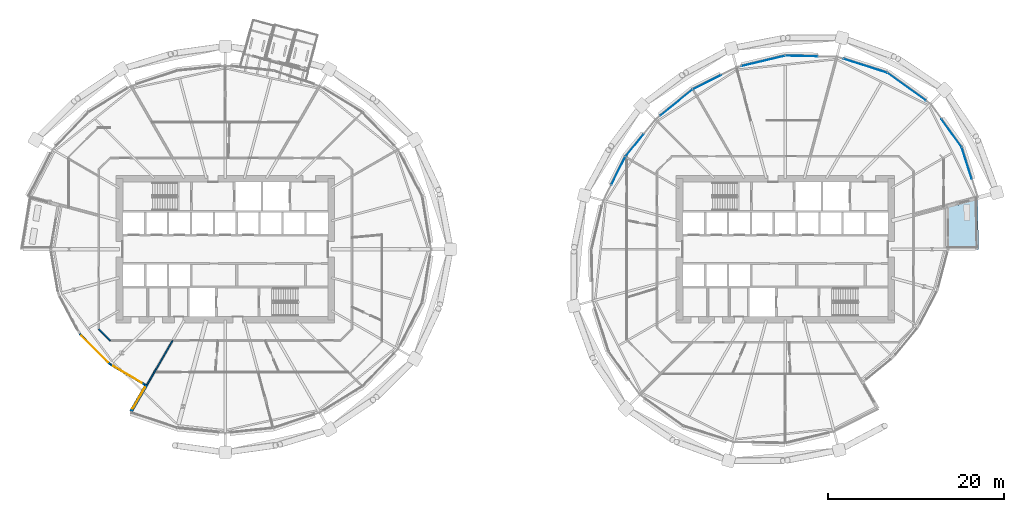
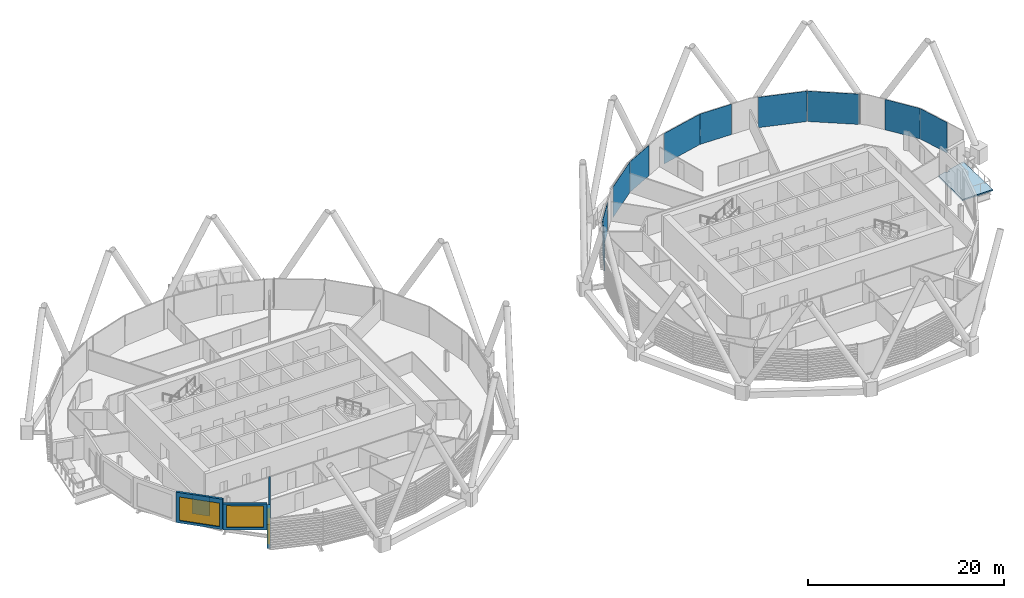
# One storey, part 23 of 38: 10 plates, 5 walls, 3 windows, 1 slab, 3 openings, 1 element without a shape of its own.
"""IFC4 building model written with IfcOpenShell, lengths in metres."""

from ifc_helpers import new_model, si_unit, direction, frame, frame_2d, origin, origin_2d, place, context, subcontext, project, spatial, polyline, rectangle, outline, extrude, material, layer, layer_set, type_object, element, fill, aggregate, save


model = new_model("IFC4")

# Units and contexts
model_context = context("Model", 3, precision=1e-05, world=origin(), true_north=direction((0.0, 1.0)))
body_context = subcontext(model_context, "Body", "Model", "MODEL_VIEW")
ifc_project = project(units=[si_unit("LENGTHUNIT", "METRE"), si_unit("AREAUNIT", "SQUARE_METRE"), si_unit("VOLUMEUNIT", "CUBIC_METRE"), si_unit("PLANEANGLEUNIT", "RADIAN"), si_unit("MASSUNIT", "GRAM", prefix="KILO")], contexts=[model_context])

# Site, building, storey
site_placement = place(None, origin())
site = spatial("IfcSite", under=ifc_project, at=site_placement, CompositionType="ELEMENT")
building_placement = place(site_placement, origin())
building = spatial("IfcBuilding", under=site, at=building_placement, Name="Rimbun Link Towers", CompositionType="ELEMENT")
storey_placement = place(building_placement, frame((0.0, 0.0, 104.39990234375)))
storey = spatial("IfcBuildingStorey", under=building, at=storey_placement, Name="L25", CompositionType="ELEMENT", Elevation=104.39990234375)

# Curtain wall, plates
ifc_material_1 = material(Name="Aluminium 6063-T6 and low-iron glass", Category="aluminium")
curtain_wall_type = type_object("IfcCurtainWallType", Name="CW1-Z2 unitised vision wall (zone 2)", PredefinedType="NOTDEFINED", material=ifc_material_1)
curtain_wall_placement = place(storey_placement, origin())
curtain_wall = element("IfcCurtainWall", 1, at=curtain_wall_placement, inside=storey, type_object=curtain_wall_type, Name="CW1 L25 T2", PredefinedType="NOTDEFINED")
ifc_material_2 = material(Name="Low-iron glass, laminated low-e unit", Category="glass")
ifc_layer_1 = layer(ifc_material_2, 0.028076171875)
ifc_layer_set_1 = layer_set([ifc_layer_1], Name="CW1 panel Low-iron glass 28")
plate_type = type_object("IfcPlateType", Name="CW1 panel Low-iron glass 28", PredefinedType="CURTAIN_PANEL", material=ifc_layer_set_1)
plate_1_placement = place(storey_placement, frame((45.49755859375, 18.429443359375, 0.0), z_axis=(0.0, 0.0, 1.0), x_axis=(0.812467340473, -0.583006707221, 0.0)))
plate_1 = element("IfcPlate", 2, at=plate_1_placement, type_object=plate_type, Name="CW1 panel", PredefinedType="CURTAIN_PANEL", context=body_context, shape_type="SweptSolid", body=[
    extrude(rectangle(XDim=5.365478515625, YDim=0.028076171875, at=origin_2d()), origin(), (0.0, 0.0, 1.0), 3.800048828125),
])
plate_2_placement = place(storey_placement, frame((40.82861328125, 20.792236328125, 0.0), z_axis=(0.0, 0.0, 1.0), x_axis=(0.952972314709, -0.303057366512, 0.0)))
plate_2 = element("IfcPlate", 3, at=plate_2_placement, type_object=plate_type, Name="CW1 panel", PredefinedType="CURTAIN_PANEL", context=body_context, shape_type="SweptSolid", body=[
    extrude(rectangle(XDim=5.1416015625, YDim=0.028076171875, at=origin_2d()), origin(), (0.0, 0.0, 1.0), 3.800048828125),
])
plate_3_placement = place(storey_placement, frame((33.596923828125, 21.90478515625, 0.0), z_axis=(0.0, 0.0, 1.0), x_axis=(0.999778144708, -0.021063270517, 0.0)))
plate_3 = element("IfcPlate", 4, at=plate_3_placement, type_object=plate_type, Name="CW1 panel", PredefinedType="CURTAIN_PANEL", context=body_context, shape_type="SweptSolid", body=[
    extrude(rectangle(XDim=3.654296875, YDim=0.028076171875, at=origin_2d()), origin(), (0.0, 0.0, 1.0), 3.800048828125),
])
plate_4_placement = place(storey_placement, frame((29.27734375, 21.352783203125, 0.0), z_axis=(0.0, 0.0, 1.0), x_axis=(0.972575947038, 0.232585526726, 0.0)))
plate_4 = element("IfcPlate", 5, at=plate_4_placement, type_object=plate_type, Name="CW1 panel", PredefinedType="CURTAIN_PANEL", context=body_context, shape_type="SweptSolid", body=[
    extrude(rectangle(XDim=5.037841796875, YDim=0.028076171875, at=origin_2d()), origin(), (0.0, 0.0, 1.0), 3.800048828125),
])
plate_5_placement = place(storey_placement, frame((22.878662109375, 18.942626953125, 0.0), z_axis=(0.0, 0.0, 1.0), x_axis=(0.893637595797, 0.448789312905, 0.0)))
plate_5 = element("IfcPlate", 6, at=plate_5_placement, type_object=plate_type, Name="CW1 panel", PredefinedType="CURTAIN_PANEL", context=body_context, shape_type="SweptSolid", body=[
    extrude(rectangle(XDim=3.54150390625, YDim=0.028076171875, at=origin_2d()), origin(), (0.0, 0.0, 1.0), 3.800048828125),
])
plate_6_placement = place(storey_placement, frame((19.411376953125, 16.62841796875, 0.0), z_axis=(0.0, 0.0, 1.0), x_axis=(0.777282918383, 0.629151225693, 0.0)))
plate_6 = element("IfcPlate", 7, at=plate_6_placement, type_object=plate_type, Name="CW1 panel", PredefinedType="CURTAIN_PANEL", context=body_context, shape_type="SweptSolid", body=[
    extrude(rectangle(XDim=4.757080078125, YDim=0.028076171875, at=origin_2d()), origin(), (0.0, 0.0, 1.0), 3.800048828125),
])
plate_7_placement = place(storey_placement, frame((14.66552734375, 11.775146484375, 0.0), z_axis=(0.0, 0.0, 1.0), x_axis=(0.629151225693, 0.777282918383, 0.0)))
plate_7 = element("IfcPlate", 8, at=plate_7_placement, type_object=plate_type, Name="CW1 panel", PredefinedType="CURTAIN_PANEL", context=body_context, shape_type="SweptSolid", body=[
    extrude(rectangle(XDim=3.30712890625, YDim=0.028076171875, at=origin_2d()), origin(), (0.0, 0.0, 1.0), 3.800048828125),
])
plate_8_placement = place(storey_placement, frame((12.818603515625, 8.893798828125, 0.0), z_axis=(0.0, 0.0, 1.0), x_axis=(0.448789312905, 0.893637595797, 0.0)))
plate_8 = element("IfcPlate", 9, at=plate_8_placement, type_object=plate_type, Name="CW1 panel", PredefinedType="CURTAIN_PANEL", context=body_context, shape_type="SweptSolid", body=[
    extrude(rectangle(XDim=3.491455078125, YDim=0.028076171875, at=origin_2d()), origin(), (0.0, 0.0, 1.0), 3.800048828125),
])
plate_9_placement = place(storey_placement, frame((52.330078125, 9.74560546875, 0.0), z_axis=(0.0, 0.0, 1.0), x_axis=(0.303057366512, -0.952972314709, 0.0)))
plate_9 = element("IfcPlate", 10, at=plate_9_placement, type_object=plate_type, Name="CW1 panel", PredefinedType="CURTAIN_PANEL", context=body_context, shape_type="SweptSolid", body=[
    extrude(rectangle(XDim=3.74169921875, YDim=0.028076171875, at=origin_2d()), origin(), (0.0, 0.0, 1.0), 3.800048828125),
])
plate_10_placement = place(storey_placement, frame((50.60205078125, 13.158447265625, 0.0), z_axis=(0.0, 0.0, 1.0), x_axis=(0.583006707221, -0.812467340473, 0.0)))
plate_10 = element("IfcPlate", 11, at=plate_10_placement, type_object=plate_type, Name="CW1 panel", PredefinedType="CURTAIN_PANEL", context=body_context, shape_type="SweptSolid", body=[
    extrude(rectangle(XDim=3.91552734375, YDim=0.028076171875, at=origin_2d()), origin(), (0.0, 0.0, 1.0), 3.800048828125),
])
aggregate(curtain_wall, [plate_1, plate_2, plate_3, plate_4, plate_5, plate_6, plate_7, plate_8, plate_9, plate_10])

# Slab
ifc_material_3 = material(Name="Concrete C35/45", Category="concrete")
ifc_layer_2 = layer(ifc_material_3, 0.159912109375)
ifc_layer_set_2 = layer_set([ifc_layer_2], Name="TERRACE SLAB 160")
slab_type = type_object("IfcSlabType", Name="TERRACE SLAB 160", PredefinedType="FLOOR", material=ifc_layer_set_2)
slab_placement = place(storey_placement, frame((0.0, 0.0, -0.159912109375)))
element("IfcSlab", 12, at=slab_placement, inside=storey, type_object=slab_type, Name="Terrace slab T2 L25", PredefinedType="FLOOR", context=body_context, shape_type="SweptSolid", body=[
    extrude(outline(polyline([(53.556396484375, 5.843017578125), (53.6796875, 0.0), (50.07958984375, 0.0), (50.0791015625, 4.911376953125), (51.069580078125, 5.1767578125), (51.069580078125, 5.033203125), (51.468505859375, 5.033203125), (51.468505859375, 5.28369140625), (53.556396484375, 5.843017578125)])), origin(), (0.0, 0.0, 1.0), 0.159912109375),
])

# Wall, opening, window
ifc_material_4 = material(Name="Dark enamelled glass spandrel on insulated aluminium backpan", Category="aluminium")
ifc_layer_3 = layer(ifc_material_4, 0.25)
ifc_layer_set_3 = layer_set([ifc_layer_3], Name="CS dark enamelled spandrel wall 250")
wall_type_1 = type_object("IfcWallType", Name="CS dark enamelled spandrel wall 250", PredefinedType="STANDARD", material=ifc_layer_set_3)
wall_1_placement = place(storey_placement, frame((-44.7880859375, -13.060791015625, 0.0), z_axis=(0.0, 0.0, 1.0), x_axis=(-0.707032732131, 0.707180822489, 0.0)))
wall_1 = element("IfcWall", 13, at=wall_1_placement, inside=storey, type_object=wall_type_1, Name="Crease spandrel wall", PredefinedType="STANDARD", context=body_context, shape_type="SweptSolid", body=[
    extrude(rectangle(XDim=4.94580078125, YDim=0.25, at=frame_2d((2.472900390625, 0.0))), origin(), (0.0, 0.0, 1.0), 3.800048828125),
])
opening_1_placement = place(wall_1_placement, frame((0.347900390625, 0.0, 0.300048828125)))
opening_1 = element("IfcOpeningElement", 14, at=opening_1_placement, cuts=wall_1, Name="Opening WR42H295", PredefinedType="OPENING", context=body_context, shape_type="SweptSolid", body=[
    extrude(rectangle(XDim=4.25, YDim=2.949951171875, at=frame_2d((2.125, 1.47509765625))), frame((0.0, 0.135009765625, 0.0), z_axis=(0.0, -1.0, 0.0), x_axis=(1.0, 0.0, 0.0)), (0.0, 0.0, 1.0), 0.27001953125),
])
ifc_material_5 = material(Name="Aluminium framed fixed window, dark tinted low-e glass", Category="aluminium")
window_type_1 = type_object("IfcWindowType", Name="WR ribbon window 4250X2950", PartitioningType="SINGLE_PANEL", PredefinedType="WINDOW", material=ifc_material_5)
window_1_placement = place(opening_1_placement, origin())
window_1 = element("IfcWindow", 15, at=window_1_placement, inside=storey, type_object=window_type_1, Name="Crease ribbon window", OverallHeight=2.949951171875, OverallWidth=4.25, PartitioningType="SINGLE_PANEL", PredefinedType="WINDOW", context=body_context, shape_type="SweptSolid", body=[
    extrude(rectangle(XDim=4.25, YDim=2.949951171875, at=frame_2d((2.125, 1.47509765625))), frame((0.0, 0.030029296875, 0.0), z_axis=(0.0, -1.0, 0.0), x_axis=(1.0, 0.0, 0.0)), (0.0, 0.0, 1.0), 0.06005859375),
])
fill(opening_1, window_1)

wall_2_placement = place(storey_placement, frame((-40.896240234375, -15.341552734375, 0.0), z_axis=(0.0, 0.0, 1.0), x_axis=(-0.862762287137, 0.505609766416, 0.0)))
wall_2 = element("IfcWall", 16, at=wall_2_placement, inside=storey, type_object=wall_type_1, Name="Crease spandrel wall", PredefinedType="STANDARD", context=body_context, shape_type="SweptSolid", body=[
    extrude(rectangle(XDim=4.510986328125, YDim=0.25, at=frame_2d((2.25537109375, 0.0))), origin(), (0.0, 0.0, 1.0), 3.2236328125),
])
opening_2_placement = place(wall_2_placement, frame((0.380615234375, 0.0, 0.300048828125)))
opening_2 = element("IfcOpeningElement", 17, at=opening_2_placement, cuts=wall_2, Name="Opening WR38H270", PredefinedType="OPENING", context=body_context, shape_type="SweptSolid", body=[
    extrude(rectangle(XDim=3.75, YDim=2.699951171875, at=frame_2d((1.875, 1.35009765625))), frame((0.0, 0.135009765625, 0.0), z_axis=(0.0, -1.0, 0.0), x_axis=(1.0, 0.0, 0.0)), (0.0, 0.0, 1.0), 0.27001953125),
])
ifc_material_6 = material(Name="Aluminium framed fixed window, dark tinted low-e glass", Category="aluminium")
window_type_2 = type_object("IfcWindowType", Name="WR ribbon window 3750X2700", PartitioningType="SINGLE_PANEL", PredefinedType="WINDOW", material=ifc_material_6)
window_2_placement = place(opening_2_placement, origin())
window_2 = element("IfcWindow", 18, at=window_2_placement, inside=storey, type_object=window_type_2, Name="Crease ribbon window", OverallHeight=2.699951171875, OverallWidth=3.75, PartitioningType="SINGLE_PANEL", PredefinedType="WINDOW", context=body_context, shape_type="SweptSolid", body=[
    extrude(rectangle(XDim=3.75, YDim=2.699951171875, at=frame_2d((1.875, 1.35009765625))), frame((0.0, 0.030029296875, 0.0), z_axis=(0.0, -1.0, 0.0), x_axis=(1.0, 0.0, 0.0)), (0.0, 0.0, 1.0), 0.06005859375),
])
fill(opening_2, window_2)

ifc_material_7 = material(Name="Dark enamelled glass spandrel on insulated aluminium backpan", Category="aluminium")
ifc_layer_4 = layer(ifc_material_7, 0.3701171875)
ifc_layer_set_4 = layer_set([ifc_layer_4], Name="CS dark enamelled spandrel wall 370")
wall_type_2 = type_object("IfcWallType", Name="CS dark enamelled spandrel wall 370", PredefinedType="STANDARD", material=ifc_layer_set_4)
wall_3_placement = place(storey_placement, frame((-42.46435546875, -18.427734375, 0.0), z_axis=(0.0, 0.0, 1.0), x_axis=(0.500011709085, 0.866018643436, 0.0)))
wall_3 = element("IfcWall", 19, at=wall_3_placement, inside=storey, type_object=wall_type_2, Name="Crease spandrel wall", PredefinedType="STANDARD", context=body_context, shape_type="SweptSolid", body=[
    extrude(rectangle(XDim=3.580078125, YDim=0.3701171875, at=frame_2d((1.7900390625, 0.0))), origin(), (0.0, 0.0, 1.0), 3.027587890625),
])
opening_3_placement = place(wall_3_placement, frame((0.4150390625, 0.0, 0.300048828125)))
opening_3 = element("IfcOpeningElement", 20, at=opening_3_placement, cuts=wall_3, Name="Opening WR28H245", PredefinedType="OPENING", context=body_context, shape_type="SweptSolid", body=[
    extrude(rectangle(XDim=2.75, YDim=2.449951171875, at=frame_2d((1.375, 1.22509765625))), frame((0.0, 0.195068359375, 0.0), z_axis=(0.0, -1.0, 0.0), x_axis=(1.0, 0.0, 0.0)), (0.0, 0.0, 1.0), 0.39013671875),
])
ifc_material_8 = material(Name="Aluminium framed fixed window, dark tinted low-e glass", Category="aluminium")
window_type_3 = type_object("IfcWindowType", Name="WR ribbon window 2750X2450", PartitioningType="SINGLE_PANEL", PredefinedType="WINDOW", material=ifc_material_8)
window_3_placement = place(opening_3_placement, origin())
window_3 = element("IfcWindow", 21, at=window_3_placement, inside=storey, type_object=window_type_3, Name="Crease ribbon window", OverallHeight=2.449951171875, OverallWidth=2.75, PartitioningType="SINGLE_PANEL", PredefinedType="WINDOW", context=body_context, shape_type="SweptSolid", body=[
    extrude(rectangle(XDim=2.75, YDim=2.449951171875, at=frame_2d((1.375, 1.22509765625))), frame((0.0, 0.030029296875, 0.0), z_axis=(0.0, -1.0, 0.0), x_axis=(1.0, 0.0, 0.0)), (0.0, 0.0, 1.0), 0.06005859375),
])
fill(opening_3, window_3)

# Walls
ifc_material_9 = material(Name="Plasterboard on steel stud, mineral wool", Category="steel")
ifc_layer_5 = layer(ifc_material_9, 0.14990234375)
ifc_layer_set_5 = layer_set([ifc_layer_5], Name="Corridor wall EI 30 150 mm")
wall_type_3 = type_object("IfcWallType", Name="Corridor wall EI 30 150 mm", PredefinedType="PARTITIONING", material=ifc_layer_set_5)
wall_4_placement = place(storey_placement, frame((-46.10009765625, -9.0517578125, 0.0), z_axis=(0.0, 0.0, 1.0), x_axis=(0.707106781187, -0.707106781187, 0.0)))
element("IfcWall", 22, at=wall_4_placement, inside=storey, type_object=wall_type_3, Name="Corridor wall EI 30 150 mm", PredefinedType="PARTITIONING", context=body_context, shape_type="SweptSolid", body=[
    extrude(rectangle(XDim=1.836181640625, YDim=0.14990234375, at=frame_2d((0.91796875, 0.0))), origin(), (0.0, 0.0, 1.0), 2.420166015625),
])
ifc_material_10 = material(Name="Plasterboard on steel stud, mineral wool", Category="steel")
ifc_layer_6 = layer(ifc_material_10, 0.14990234375)
ifc_layer_set_6 = layer_set([ifc_layer_6], Name="Tenancy separation wall EI 60 150 mm")
wall_type_4 = type_object("IfcWallType", Name="Tenancy separation wall EI 60 150 mm", PredefinedType="PARTITIONING", material=ifc_layer_set_6)
wall_5_placement = place(storey_placement, frame((-37.7255859375, -10.35009765625, 0.0), z_axis=(0.0, 0.0, 1.0), x_axis=(-0.499992798144, -0.866029561738, 0.0)))
element("IfcWall", 23, at=wall_5_placement, inside=storey, type_object=wall_type_4, Name="Tenancy separation wall EI 60 150 mm", PredefinedType="PARTITIONING", context=body_context, shape_type="SweptSolid", body=[
    extrude(rectangle(XDim=5.78466796875, YDim=0.14990234375, at=frame_2d((2.892333984375, 0.0))), origin(), (0.0, 0.0, 1.0), 2.420166015625),
])

save(model, "model.ifc")
